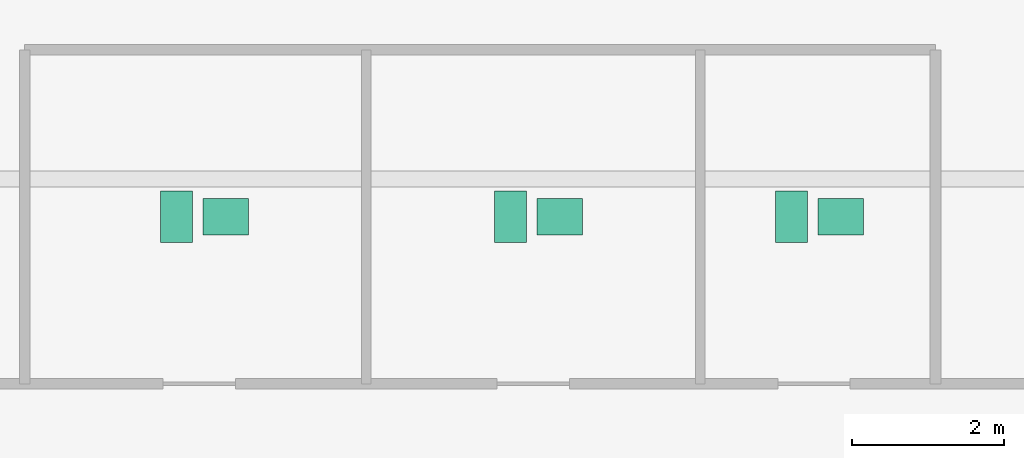
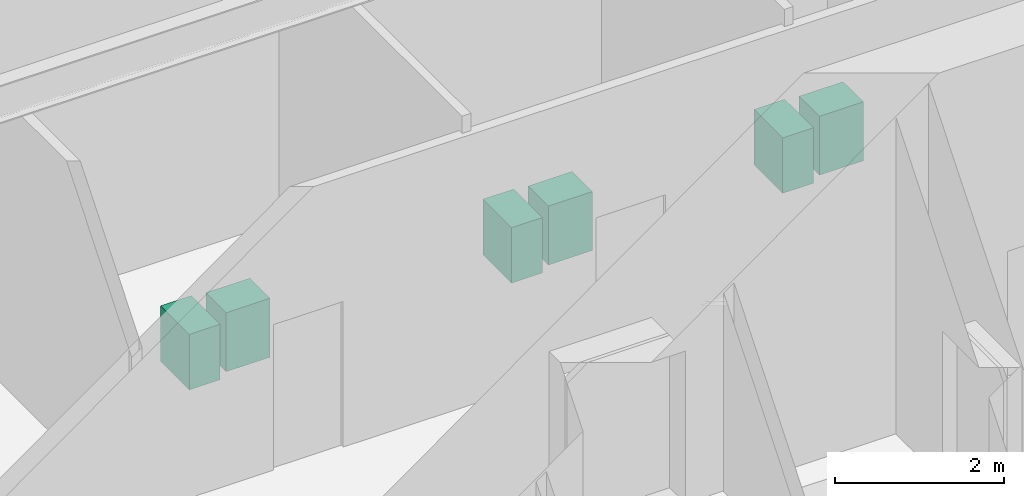
# One storey, part 10 of 10: 6 sanitary terminals.
"""IFC4 building model written with IfcOpenShell, lengths in metres."""

from ifc_helpers import new_model, si_unit, direction, frame, origin, origin_2d, place, context, subcontext, project, spatial, rectangle, extrude, source, transform, mapped, material, type_object, type_shapes, element, save


model = new_model("IFC4")

# Units and contexts
model_context = context("Model", 3, precision=1e-05, world=origin(), true_north=direction((0.0, 1.0)))
body_context = subcontext(model_context, "Body", "Model", "MODEL_VIEW")
ifc_project = project(units=[si_unit("LENGTHUNIT", "METRE"), si_unit("AREAUNIT", "SQUARE_METRE"), si_unit("VOLUMEUNIT", "CUBIC_METRE"), si_unit("PLANEANGLEUNIT", "RADIAN"), si_unit("MASSUNIT", "GRAM", prefix="KILO")], contexts=[model_context])

# Site, building, storey
site_placement = place(None, origin())
site = spatial("IfcSite", under=ifc_project, at=site_placement, CompositionType="ELEMENT")
building_placement = place(site_placement, origin())
building = spatial("IfcBuilding", under=site, at=building_placement, Name="Krantzveldt Concourse Tower", CompositionType="ELEMENT")
storey_placement = place(building_placement, frame((0.0, 0.0, 5.39990234375)))
storey = spatial("IfcBuildingStorey", under=building, at=storey_placement, Name="L01", CompositionType="ELEMENT", Elevation=5.39990234375)

# Sanitary terminals
ifc_material = material(Name="Vitreous china", Category="ceramic")
sanitary_terminal_type_1 = type_object("IfcSanitaryTerminalType", Name="SAN-WC-SUITE", PredefinedType="TOILETPAN", material=ifc_material)
shared_shape_1 = source(origin(), body_context, "Body", "SweptSolid", [
    extrude(rectangle(XDim=0.419921875, YDim=0.679931640625, at=origin_2d()), origin(), (0.0, 0.0, 1.0), 0.800048828125),
])
type_shapes(sanitary_terminal_type_1, [shared_shape_1])
for number, where, z_axis, x_axis, name in (
    (1, (33.0, 31.300048828125, 0.0), (0.0, 0.0, 1.0), (1.0, 0.0, 0.0), "WC-SP-L01-WCM"),
    (2, (37.39990234375, 31.300048828125, 0.0), (0.0, 0.0, 1.0), (1.0, 0.0, 0.0), "WC-SP-L01-WCF"),
    (3, (41.10009765625, 31.300048828125, 0.0), (0.0, 0.0, 1.0), (1.0, 0.0, 0.0), "WC-SP-L01-WCA"),
):
    element("IfcSanitaryTerminal", number, at=place(storey_placement, frame(where, z_axis=z_axis, x_axis=x_axis)), inside=storey, type_object=sanitary_terminal_type_1, Name=name, PredefinedType="TOILETPAN", context=body_context, shape_type="MappedRepresentation", body=[
        mapped(shared_shape_1, transform((0.0, 0.0, 0.0), x_axis=(1.0, 0.0, 0.0), y_axis=(0.0, 1.0, 0.0), z_axis=(0.0, 0.0, 1.0), scale=1.0)),
    ])
sanitary_terminal_type_2 = type_object("IfcSanitaryTerminalType", Name="SAN-BASIN-600", PredefinedType="WASHHANDBASIN", material=ifc_material)
shared_shape_2 = source(origin(), body_context, "Body", "SweptSolid", [
    extrude(rectangle(XDim=0.60009765625, YDim=0.47998046875, at=origin_2d()), origin(), (0.0, 0.0, 1.0), 0.85009765625),
])
type_shapes(sanitary_terminal_type_2, [shared_shape_2])
for number, where, z_axis, x_axis, name in (
    (4, (33.64990234375, 31.300048828125, 0.005126953125), (0.0, 0.0, 1.0), (1.0, 0.0, 0.0), "BSN-SP-L01-WCM"),
    (5, (38.050048828125, 31.300048828125, 0.005126953125), (0.0, 0.0, 1.0), (1.0, 0.0, 0.0), "BSN-SP-L01-WCF"),
    (6, (41.75, 31.300048828125, 0.005126953125), (0.0, 0.0, 1.0), (1.0, 0.0, 0.0), "BSN-SP-L01-WCA"),
):
    element("IfcSanitaryTerminal", number, at=place(storey_placement, frame(where, z_axis=z_axis, x_axis=x_axis)), inside=storey, type_object=sanitary_terminal_type_2, Name=name, PredefinedType="WASHHANDBASIN", context=body_context, shape_type="MappedRepresentation", body=[
        mapped(shared_shape_2, transform((0.0, 0.0, 0.0), x_axis=(1.0, 0.0, 0.0), y_axis=(0.0, 1.0, 0.0), z_axis=(0.0, 0.0, 1.0), scale=1.0)),
    ])

save(model, "model.ifc")
